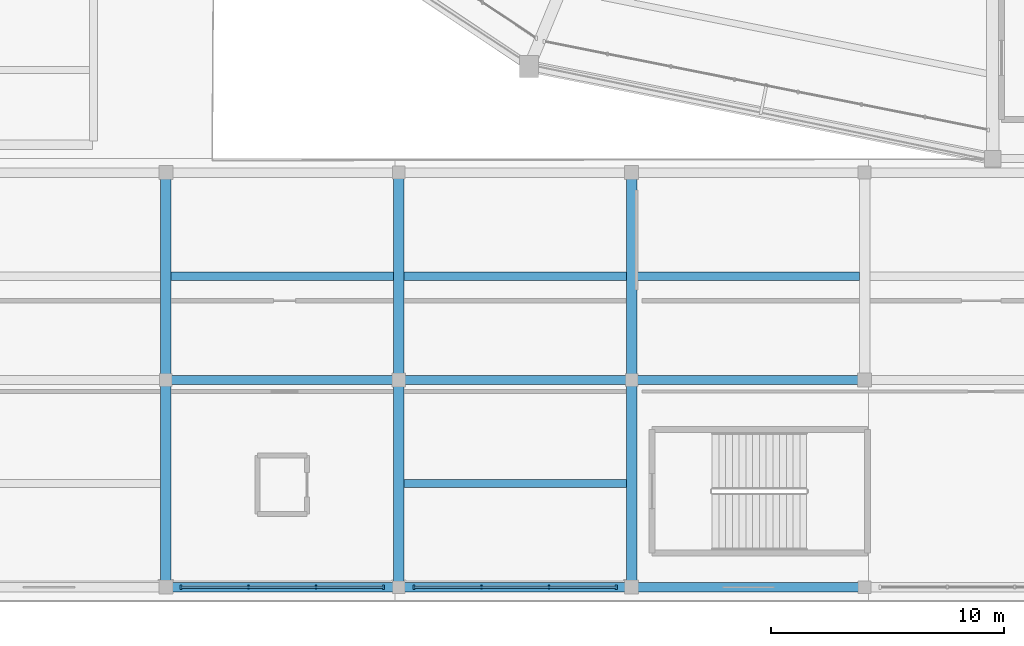
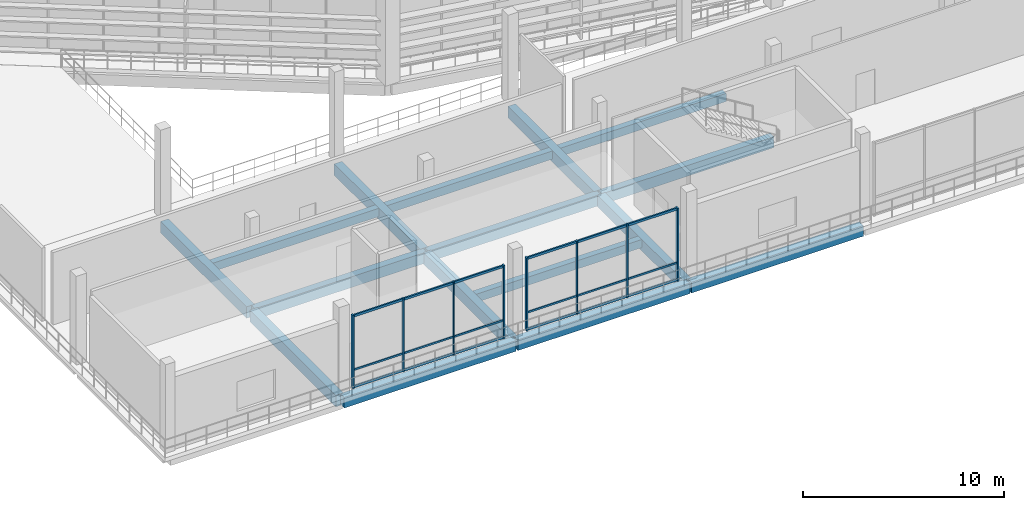
# One storey, part 9 of 111: 16 beams, 14 members, 2 elements without a shape of their own.
"""IFC4 building model written with IfcOpenShell, lengths in metres."""

from ifc_helpers import new_model, si_unit, direction, frame, origin, origin_2d, place, context, subcontext, project, spatial, rectangle, extrude, material, material_profile, profile_set, type_object, element, aggregate, save


model = new_model("IFC4")

# Units and contexts
model_context = context("Model", 3, precision=1e-05, world=origin(), true_north=direction((0.0, 1.0)))
body_context = subcontext(model_context, "Body", "Model", "MODEL_VIEW")
ifc_project = project(units=[si_unit("LENGTHUNIT", "METRE"), si_unit("AREAUNIT", "SQUARE_METRE"), si_unit("VOLUMEUNIT", "CUBIC_METRE"), si_unit("PLANEANGLEUNIT", "RADIAN"), si_unit("MASSUNIT", "GRAM", prefix="KILO")], contexts=[model_context])

# Site, building, storey
site_placement = place(None, origin())
site = spatial("IfcSite", under=ifc_project, at=site_placement, CompositionType="ELEMENT")
building_placement = place(site_placement, origin())
building = spatial("IfcBuilding", under=site, at=building_placement, Name="Candeia Ridge Stadium", CompositionType="ELEMENT")
storey_placement = place(building_placement, frame((0.0, 0.0, 16.199951171875)))
storey = spatial("IfcBuildingStorey", under=building, at=storey_placement, Name="L03", CompositionType="ELEMENT", Elevation=16.199951171875)

# Curtain wall, members
ifc_material_1 = material(Name="Aluminium Anodized Warm Bronze", Category="aluminium")
curtain_wall_type = type_object("IfcCurtainWallType", Name="Museum & Boulevard Showcase Curtain Wall", PredefinedType="NOTDEFINED", material=ifc_material_1)
curtain_wall_1_placement = place(storey_placement, origin())
curtain_wall_1 = element("IfcCurtainWall", 1, at=curtain_wall_1_placement, inside=storey, type_object=curtain_wall_type, Name="Unitised curtain wall CW-WNG-L03-131", PredefinedType="NOTDEFINED")
ifc_material_profile_1 = material_profile(ifc_material_1, rectangle(XDim=0.090087890625, YDim=0.179931640625, at=origin_2d()), Name="CWM-90x180", Category="aluminium")
ifc_profile_set_1 = profile_set([ifc_material_profile_1], Name="Aluminium Anodized Warm Bronze")
member_type_1 = type_object("IfcMemberType", Name="Curtain Wall Primary Mullion 90x180", PredefinedType="MULLION", material=ifc_profile_set_1)
member_1_placement = place(storey_placement, frame((36.159912109375, 0.60009765625, 0.0), z_axis=(0.0, 0.0, 1.0), x_axis=(1.0, 0.0, 0.0)))
member_1 = element("IfcMember", 2, at=member_1_placement, type_object=member_type_1, Name="Curtain wall mullion CW-WNG-L03-131-M0", PredefinedType="MULLION", context=body_context, shape_type="SweptSolid", body=[
    extrude(rectangle(XDim=0.090087890625, YDim=0.179931640625, at=origin_2d()), origin(), (0.0, 0.0, 1.0), 4.455078125),
])
member_2_placement = place(storey_placement, frame((44.840087890625, 0.60009765625, 0.0), z_axis=(0.0, 0.0, 1.0), x_axis=(1.0, 0.0, 0.0)))
member_2 = element("IfcMember", 3, at=member_2_placement, type_object=member_type_1, Name="Curtain wall mullion CW-WNG-L03-131-M3", PredefinedType="MULLION", context=body_context, shape_type="SweptSolid", body=[
    extrude(rectangle(XDim=0.090087890625, YDim=0.179931640625, at=origin_2d()), origin(), (0.0, 0.0, 1.0), 4.455078125),
])

curtain_wall_2_placement = place(storey_placement, origin())
curtain_wall_2 = element("IfcCurtainWall", 4, at=curtain_wall_2_placement, inside=storey, type_object=curtain_wall_type, Name="Unitised curtain wall CW-WNG-L03-132", PredefinedType="NOTDEFINED")
member_3_placement = place(storey_placement, frame((46.159912109375, 0.60009765625, 0.0), z_axis=(0.0, 0.0, 1.0), x_axis=(1.0, 0.0, 0.0)))
member_3 = element("IfcMember", 5, at=member_3_placement, type_object=member_type_1, Name="Curtain wall mullion CW-WNG-L03-132-M0", PredefinedType="MULLION", context=body_context, shape_type="SweptSolid", body=[
    extrude(rectangle(XDim=0.090087890625, YDim=0.179931640625, at=origin_2d()), origin(), (0.0, 0.0, 1.0), 4.455078125),
])
member_4_placement = place(storey_placement, frame((54.840087890625, 0.60009765625, 0.0), z_axis=(0.0, 0.0, 1.0), x_axis=(1.0, 0.0, 0.0)))
member_4 = element("IfcMember", 6, at=member_4_placement, type_object=member_type_1, Name="Curtain wall mullion CW-WNG-L03-132-M3", PredefinedType="MULLION", context=body_context, shape_type="SweptSolid", body=[
    extrude(rectangle(XDim=0.090087890625, YDim=0.179931640625, at=origin_2d()), origin(), (0.0, 0.0, 1.0), 4.455078125),
])

# Member
ifc_material_profile_2 = material_profile(ifc_material_1, rectangle(XDim=0.074951171875, YDim=0.14990234375, at=origin_2d()), Name="CWM-75x150", Category="aluminium")
ifc_profile_set_2 = profile_set([ifc_material_profile_2], Name="Aluminium Anodized Warm Bronze")
member_type_2 = type_object("IfcMemberType", Name="Curtain Wall Secondary Mullion 75x150", PredefinedType="MULLION", material=ifc_profile_set_2)
member_5_placement = place(storey_placement, frame((39.05322265625, 0.60009765625, 0.0), z_axis=(0.0, 0.0, 1.0), x_axis=(1.0, 0.0, 0.0)))
member_5 = element("IfcMember", 7, at=member_5_placement, type_object=member_type_2, Name="Curtain wall mullion CW-WNG-L03-131-M1", PredefinedType="MULLION", context=body_context, shape_type="SweptSolid", body=[
    extrude(rectangle(XDim=0.074951171875, YDim=0.14990234375, at=origin_2d()), origin(), (0.0, 0.0, 1.0), 4.455078125),
])

member_6_placement = place(storey_placement, frame((41.94677734375, 0.60009765625, 0.0), z_axis=(0.0, 0.0, 1.0), x_axis=(1.0, 0.0, 0.0)))
member_6 = element("IfcMember", 8, at=member_6_placement, type_object=member_type_2, Name="Curtain wall mullion CW-WNG-L03-131-M2", PredefinedType="MULLION", context=body_context, shape_type="SweptSolid", body=[
    extrude(rectangle(XDim=0.074951171875, YDim=0.14990234375, at=origin_2d()), origin(), (0.0, 0.0, 1.0), 4.455078125),
])

member_7_placement = place(storey_placement, frame((49.05322265625, 0.60009765625, 0.0), z_axis=(0.0, 0.0, 1.0), x_axis=(1.0, 0.0, 0.0)))
member_7 = element("IfcMember", 9, at=member_7_placement, type_object=member_type_2, Name="Curtain wall mullion CW-WNG-L03-132-M1", PredefinedType="MULLION", context=body_context, shape_type="SweptSolid", body=[
    extrude(rectangle(XDim=0.074951171875, YDim=0.14990234375, at=origin_2d()), origin(), (0.0, 0.0, 1.0), 4.455078125),
])

member_8_placement = place(storey_placement, frame((51.94677734375, 0.60009765625, 0.0), z_axis=(0.0, 0.0, 1.0), x_axis=(1.0, 0.0, 0.0)))
member_8 = element("IfcMember", 10, at=member_8_placement, type_object=member_type_2, Name="Curtain wall mullion CW-WNG-L03-132-M2", PredefinedType="MULLION", context=body_context, shape_type="SweptSolid", body=[
    extrude(rectangle(XDim=0.074951171875, YDim=0.14990234375, at=origin_2d()), origin(), (0.0, 0.0, 1.0), 4.455078125),
])

ifc_material_profile_3 = material_profile(ifc_material_1, rectangle(XDim=0.074951171875, YDim=0.110107421875, at=origin_2d()), Name="CWT-75x110", Category="aluminium")
ifc_profile_set_3 = profile_set([ifc_material_profile_3], Name="Aluminium Anodized Warm Bronze")
member_type_3 = type_object("IfcMemberType", Name="Curtain Wall Secondary Transom 75x110", PredefinedType="USERDEFINED", material=ifc_profile_set_3)
member_9_placement = place(storey_placement, frame((36.159912109375, 0.60009765625, 1.10009765625), z_axis=(1.0, 0.0, 0.0), x_axis=(0.0, 1.0, 0.0)))
member_9 = element("IfcMember", 11, at=member_9_placement, type_object=member_type_3, Name="Curtain wall transom CW-WNG-L03-131-T1", ObjectType="TRANSOM", PredefinedType="USERDEFINED", context=body_context, shape_type="SweptSolid", body=[
    extrude(rectangle(XDim=0.074951171875, YDim=0.110107421875, at=origin_2d()), origin(), (0.0, 0.0, 1.0), 8.68017578125),
])

member_10_placement = place(storey_placement, frame((46.159912109375, 0.60009765625, 1.10009765625), z_axis=(1.0, 0.0, 0.0), x_axis=(0.0, 1.0, 0.0)))
member_10 = element("IfcMember", 12, at=member_10_placement, type_object=member_type_3, Name="Curtain wall transom CW-WNG-L03-132-T1", ObjectType="TRANSOM", PredefinedType="USERDEFINED", context=body_context, shape_type="SweptSolid", body=[
    extrude(rectangle(XDim=0.074951171875, YDim=0.110107421875, at=origin_2d()), origin(), (0.0, 0.0, 1.0), 8.68017578125),
])

ifc_material_profile_4 = material_profile(ifc_material_1, rectangle(XDim=0.090087890625, YDim=0.139892578125, at=origin_2d()), Name="CWT-90x140", Category="aluminium")
ifc_profile_set_4 = profile_set([ifc_material_profile_4], Name="Aluminium Anodized Warm Bronze")
member_type_4 = type_object("IfcMemberType", Name="Curtain Wall Transom 90x140", PredefinedType="USERDEFINED", material=ifc_profile_set_4)
member_11_placement = place(storey_placement, frame((36.159912109375, 0.60009765625, 0.070068359375), z_axis=(1.0, 0.0, 0.0), x_axis=(0.0, 1.0, 0.0)))
member_11 = element("IfcMember", 13, at=member_11_placement, type_object=member_type_4, Name="Curtain wall transom CW-WNG-L03-131-T0", ObjectType="TRANSOM", PredefinedType="USERDEFINED", context=body_context, shape_type="SweptSolid", body=[
    extrude(rectangle(XDim=0.090087890625, YDim=0.139892578125, at=origin_2d()), origin(), (0.0, 0.0, 1.0), 8.68017578125),
])

member_12_placement = place(storey_placement, frame((36.159912109375, 0.60009765625, 4.385009765625), z_axis=(1.0, 0.0, 0.0), x_axis=(0.0, 1.0, 0.0)))
member_12 = element("IfcMember", 14, at=member_12_placement, type_object=member_type_4, Name="Curtain wall transom CW-WNG-L03-131-T2", ObjectType="TRANSOM", PredefinedType="USERDEFINED", context=body_context, shape_type="SweptSolid", body=[
    extrude(rectangle(XDim=0.090087890625, YDim=0.139892578125, at=origin_2d()), origin(), (0.0, 0.0, 1.0), 8.68017578125),
])

aggregate(curtain_wall_1, [member_1, member_5, member_6, member_2, member_11, member_9, member_12])

member_13_placement = place(storey_placement, frame((46.159912109375, 0.60009765625, 0.070068359375), z_axis=(1.0, 0.0, 0.0), x_axis=(0.0, 1.0, 0.0)))
member_13 = element("IfcMember", 15, at=member_13_placement, type_object=member_type_4, Name="Curtain wall transom CW-WNG-L03-132-T0", ObjectType="TRANSOM", PredefinedType="USERDEFINED", context=body_context, shape_type="SweptSolid", body=[
    extrude(rectangle(XDim=0.090087890625, YDim=0.139892578125, at=origin_2d()), origin(), (0.0, 0.0, 1.0), 8.68017578125),
])

member_14_placement = place(storey_placement, frame((46.159912109375, 0.60009765625, 4.385009765625), z_axis=(1.0, 0.0, 0.0), x_axis=(0.0, 1.0, 0.0)))
member_14 = element("IfcMember", 16, at=member_14_placement, type_object=member_type_4, Name="Curtain wall transom CW-WNG-L03-132-T2", ObjectType="TRANSOM", PredefinedType="USERDEFINED", context=body_context, shape_type="SweptSolid", body=[
    extrude(rectangle(XDim=0.090087890625, YDim=0.139892578125, at=origin_2d()), origin(), (0.0, 0.0, 1.0), 8.68017578125),
])

aggregate(curtain_wall_2, [member_3, member_7, member_8, member_4, member_13, member_10, member_14])

# Beams
ifc_material_2 = material(Name="Concrete C40/50", Category="concrete")
ifc_material_profile_5 = material_profile(ifc_material_2, rectangle(XDim=0.35009765625, YDim=0.5, at=origin_2d()), Name="RC350x500", Category="concrete")
ifc_profile_set_5 = profile_set([ifc_material_profile_5], Name="Concrete C40/50")
beam_type_1 = type_object("IfcBeamType", Name="Floor Joist RC350x500", PredefinedType="JOIST", material=ifc_profile_set_5)
for number, where, z_axis, x_axis, name in (
    (17, (35.724609375, 13.949951171875, -0.5), (1.0, 0.0, 0.0), (0.0, 1.0, 0.0), "Wing secondary joist BM-L03-2298"),
    (18, (45.724609375, 5.050048828125, -0.5), (1.0, 0.0, 0.0), (0.0, 1.0, 0.0), "Wing secondary joist BM-L03-2301"),
    (19, (45.724609375, 13.949951171875, -0.5), (1.0, 0.0, 0.0), (0.0, 1.0, 0.0), "Wing secondary joist BM-L03-2303"),
    (20, (55.724609375, 13.949951171875, -0.5), (1.0, 0.0, 0.0), (0.0, 1.0, 0.0), "Wing secondary joist BM-L03-2307"),
):
    element("IfcBeam", number, at=place(storey_placement, frame(where, z_axis=z_axis, x_axis=x_axis)), inside=storey, type_object=beam_type_1, Name=name, PredefinedType="JOIST", context=body_context, shape_type="SweptSolid", body=[
        extrude(rectangle(XDim=0.35009765625, YDim=0.5, at=origin_2d()), origin(), (0.0, 0.0, 1.0), 9.55078125),
    ])
ifc_material_profile_6 = material_profile(ifc_material_2, rectangle(XDim=0.449951171875, YDim=0.699951171875, at=origin_2d()), Name="RC450x700", Category="concrete")
ifc_profile_set_6 = profile_set([ifc_material_profile_6], Name="Concrete C40/50")
beam_type_2 = type_object("IfcBeamType", Name="Frame Girder RC450x700", PredefinedType="BEAM", material=ifc_profile_set_6)
for number, where, z_axis, x_axis, name in (
    (21, (35.5, 0.760009765625, -0.599853515625), (0.0, 1.0, 0.0), (-1.0, 0.0, 0.0), "Structural girder BM-L03-2280"),
    (22, (35.5, 9.659912109375, -0.599853515625), (0.0, 1.0, 0.0), (-1.0, 0.0, 0.0), "Structural girder BM-L03-2281"),
    (23, (45.5, 0.760009765625, -0.599853515625), (0.0, 1.0, 0.0), (-1.0, 0.0, 0.0), "Structural girder BM-L03-2282"),
    (24, (45.5, 9.659912109375, -0.599853515625), (0.0, 1.0, 0.0), (-1.0, 0.0, 0.0), "Structural girder BM-L03-2283"),
    (25, (55.5, 0.760009765625, -0.599853515625), (0.0, 1.0, 0.0), (-1.0, 0.0, 0.0), "Structural girder BM-L03-2284"),
    (26, (55.5, 9.659912109375, -0.599853515625), (0.0, 1.0, 0.0), (-1.0, 0.0, 0.0), "Structural girder BM-L03-2285"),
):
    element("IfcBeam", number, at=place(storey_placement, frame(where, z_axis=z_axis, x_axis=x_axis)), inside=storey, type_object=beam_type_2, Name=name, PredefinedType="BEAM", context=body_context, shape_type="SweptSolid", body=[
        extrude(rectangle(XDim=0.449951171875, YDim=0.699951171875, at=origin_2d()), origin(), (0.0, 0.0, 1.0), 8.580078125),
    ])
ifc_material_profile_7 = material_profile(ifc_material_2, rectangle(XDim=0.39990234375, YDim=0.64990234375, at=origin_2d()), Name="RC400x650", Category="concrete")
ifc_profile_set_7 = profile_set([ifc_material_profile_7], Name="Concrete C40/50")
beam_type_3 = type_object("IfcBeamType", Name="Wing Primary Girder RC400x650", PredefinedType="BEAM", material=ifc_profile_set_7)
for number, where, z_axis, x_axis, name in (
    (27, (35.550048828125, 0.60009765625, -0.574951171875), (1.0, 0.0, 0.0), (0.0, 1.0, 0.0), "Structural girder BM-L03-2296"),
    (28, (35.550048828125, 9.5, -0.574951171875), (1.0, 0.0, 0.0), (0.0, 1.0, 0.0), "Structural girder BM-L03-2297"),
    (29, (45.550048828125, 0.60009765625, -0.574951171875), (1.0, 0.0, 0.0), (0.0, 1.0, 0.0), "Structural girder BM-L03-2300"),
    (30, (45.550048828125, 9.5, -0.574951171875), (1.0, 0.0, 0.0), (0.0, 1.0, 0.0), "Structural girder BM-L03-2302"),
    (31, (55.550048828125, 0.60009765625, -0.574951171875), (1.0, 0.0, 0.0), (0.0, 1.0, 0.0), "Structural girder BM-L03-2305"),
    (32, (55.550048828125, 9.5, -0.574951171875), (1.0, 0.0, 0.0), (0.0, 1.0, 0.0), "Structural girder BM-L03-2306"),
):
    element("IfcBeam", number, at=place(storey_placement, frame(where, z_axis=z_axis, x_axis=x_axis)), inside=storey, type_object=beam_type_3, Name=name, PredefinedType="BEAM", context=body_context, shape_type="SweptSolid", body=[
        extrude(rectangle(XDim=0.39990234375, YDim=0.64990234375, at=origin_2d()), origin(), (0.0, 0.0, 1.0), 9.89990234375),
    ])

save(model, "model.ifc")
